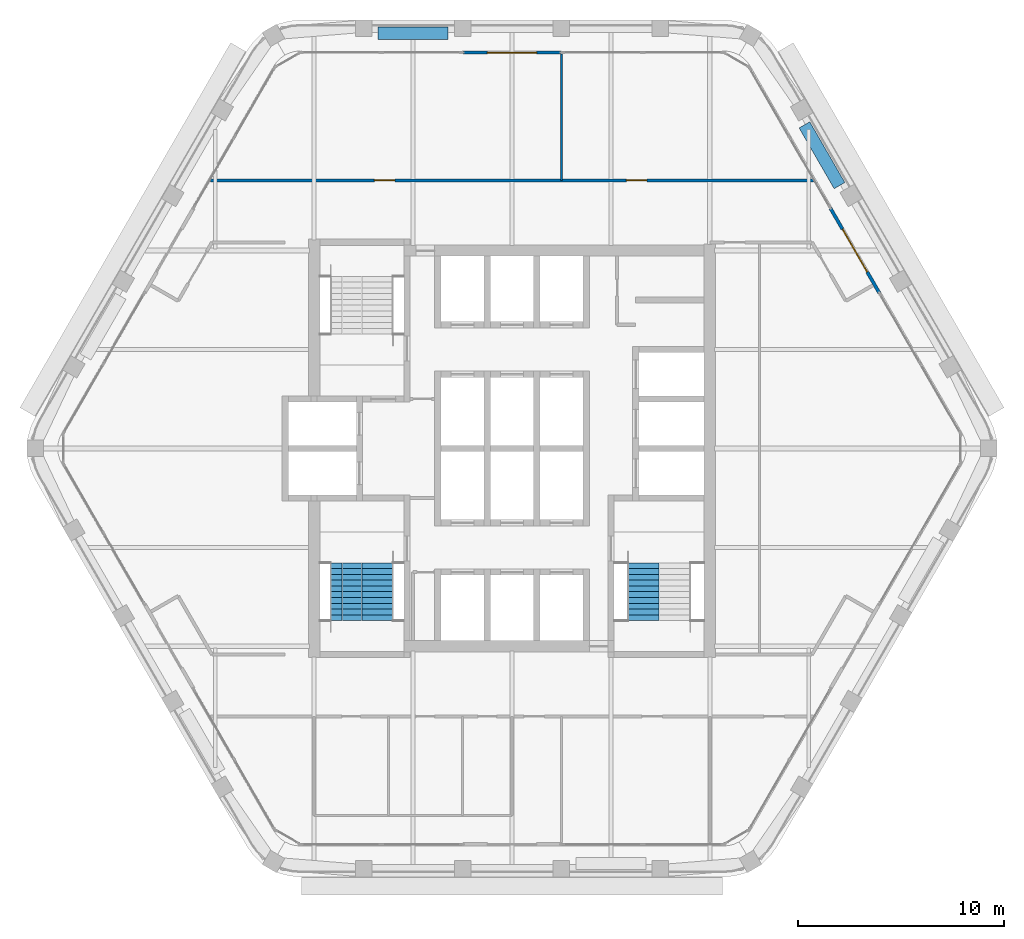
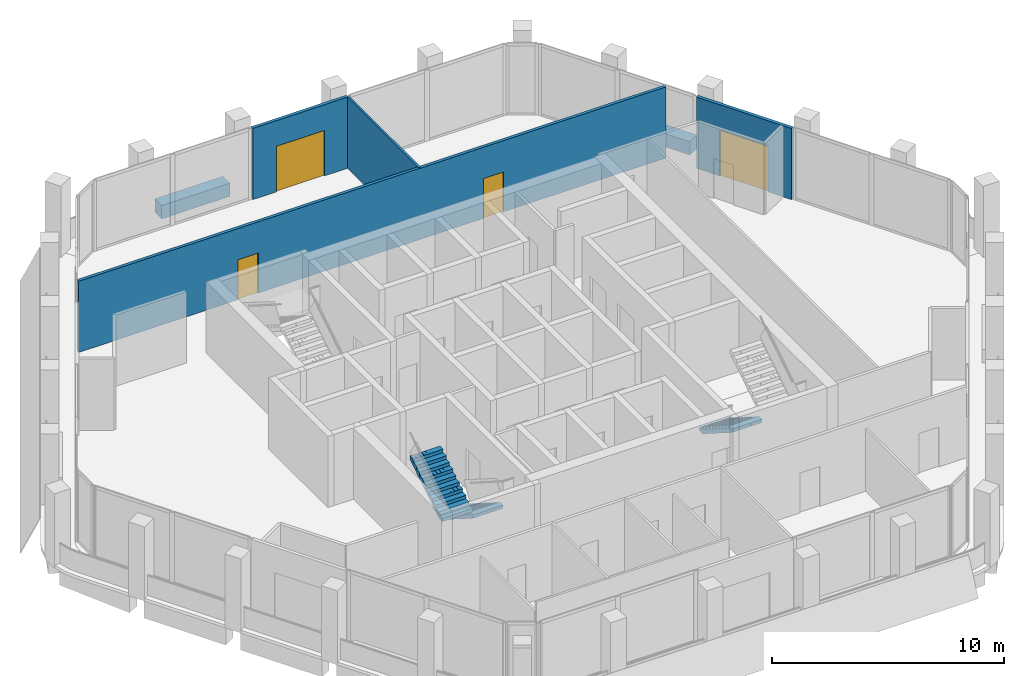
# One storey, part 10 of 13: 6 walls, 4 doors, 3 stair flights, 4 openings, 2 elements without a shape of their own.
"""IFC4 building model written with IfcOpenShell, lengths in metres."""

from ifc_helpers import new_model, si_unit, direction, frame, frame_2d, origin, place, context, subcontext, project, spatial, polyline, rectangle, outline, extrude, material, layer, layer_set, type_object, element, fill, aggregate, save


model = new_model("IFC4")

# Units and contexts
model_context = context("Model", 3, precision=1e-05, world=origin(), true_north=direction((0.0, 1.0)))
body_context = subcontext(model_context, "Body", "Model", "MODEL_VIEW")
ifc_project = project(units=[si_unit("LENGTHUNIT", "METRE"), si_unit("AREAUNIT", "SQUARE_METRE"), si_unit("VOLUMEUNIT", "CUBIC_METRE"), si_unit("PLANEANGLEUNIT", "RADIAN"), si_unit("MASSUNIT", "GRAM", prefix="KILO")], contexts=[model_context])

# Site, building, storey
site_placement = place(None, origin())
site = spatial("IfcSite", under=ifc_project, at=site_placement, CompositionType="ELEMENT")
building_placement = place(site_placement, origin())
building = spatial("IfcBuilding", under=site, at=building_placement, Name="Kolab Exchange Tower", CompositionType="ELEMENT")
storey_placement = place(building_placement, frame((0.0, 0.0, 277.39990234375)))
storey = spatial("IfcBuildingStorey", under=building, at=storey_placement, Name="L62", CompositionType="ELEMENT", Elevation=277.39990234375)

# Wall, opening, door
ifc_material_1 = material(Name="Aluminium EN AW-6063 T6", Category="aluminium")
ifc_layer_1 = layer(ifc_material_1, 0.159912109375)
ifc_layer_set_1 = layer_set([ifc_layer_1], Name="Aluminium EN AW-6063 T6")
wall_type_1 = type_object("IfcWallType", Name="DOOR SURROUND WALL 160 ALUMINIUM FRAMED", PredefinedType="PARTITIONING", material=ifc_layer_set_1)
wall_1_placement = place(storey_placement, frame((-2.3701171875, 19.20458984375, 0.0), z_axis=(0.0, 0.0, 1.0), x_axis=(1.0, 0.0, 0.0)))
wall_1 = element("IfcWall", 1, at=wall_1_placement, inside=storey, type_object=wall_type_1, Name="Door surround wall", PredefinedType="PARTITIONING", context=body_context, shape_type="SweptSolid", body=[
    extrude(rectangle(XDim=4.740234375, YDim=0.159912109375, at=frame_2d((2.3701171875, 0.0))), origin(), (0.0, 0.0, 1.0), 3.75),
])
opening_1_placement = place(wall_1_placement, frame((1.169921875, 0.0, 0.0)))
opening_1 = element("IfcOpeningElement", 2, at=opening_1_placement, cuts=wall_1, Name="Opening GD1-089", PredefinedType="OPENING", context=body_context, shape_type="SweptSolid", body=[
    extrude(rectangle(XDim=2.39990234375, YDim=2.39990234375, at=frame_2d((1.199951171875, 1.199951171875))), frame((0.0, 0.08984375, 0.0), z_axis=(0.0, -1.0, 0.0), x_axis=(1.0, 0.0, 0.0)), (0.0, 0.0, 1.0), 0.179931640625),
])
door_type_1 = type_object("IfcDoorType", Name="LOGGIA SLIDING GLASS DOOR 2400 X 2400", OperationType="DOUBLE_DOOR_SINGLE_SWING", PredefinedType="DOOR", material=ifc_material_1)
door_1_placement = place(opening_1_placement, origin())
door_1 = element("IfcDoor", 3, at=door_1_placement, inside=storey, type_object=door_type_1, Name="Loggia door", OperationType="DOUBLE_DOOR_SLIDING", OverallHeight=2.39990234375, OverallWidth=2.39990234375, PredefinedType="DOOR", context=body_context, shape_type="SweptSolid", body=[
    extrude(rectangle(XDim=2.39990234375, YDim=2.39990234375, at=frame_2d((1.199951171875, 1.199951171875))), frame((0.0, 0.02490234375, 0.0), z_axis=(0.0, -1.0, 0.0), x_axis=(1.0, 0.0, 0.0)), (0.0, 0.0, 1.0), 0.050048828125),
])
fill(opening_1, door_1)

wall_2_placement = place(storey_placement, frame((15.44677734375, 11.65478515625, 0.0), z_axis=(0.0, 0.0, 1.0), x_axis=(0.499978080042, -0.866038058908, 0.0)))
wall_2 = element("IfcWall", 4, at=wall_2_placement, inside=storey, type_object=wall_type_1, Name="Door surround wall", PredefinedType="PARTITIONING", context=body_context, shape_type="SweptSolid", body=[
    extrude(rectangle(XDim=4.739990234375, YDim=0.159912109375, at=frame_2d((2.3701171875, 0.0))), origin(), (0.0, 0.0, 1.0), 3.75),
])
opening_2_placement = place(wall_2_placement, frame((1.169921875, 0.0, 0.0)))
opening_2 = element("IfcOpeningElement", 5, at=opening_2_placement, cuts=wall_2, Name="Opening GD1-090", PredefinedType="OPENING", context=body_context, shape_type="SweptSolid", body=[
    extrude(rectangle(XDim=2.39990234375, YDim=2.39990234375, at=frame_2d((1.199951171875, 1.199951171875))), frame((0.0, 0.08984375, 0.0), z_axis=(0.0, -1.0, 0.0), x_axis=(1.0, 0.0, 0.0)), (0.0, 0.0, 1.0), 0.179931640625),
])
door_2_placement = place(opening_2_placement, origin())
door_2 = element("IfcDoor", 6, at=door_2_placement, inside=storey, type_object=door_type_1, Name="Loggia door", OperationType="DOUBLE_DOOR_SLIDING", OverallHeight=2.39990234375, OverallWidth=2.39990234375, PredefinedType="DOOR", context=body_context, shape_type="SweptSolid", body=[
    extrude(rectangle(XDim=2.39990234375, YDim=2.39990234375, at=frame_2d((1.199951171875, 1.199951171875))), frame((0.0, 0.02490234375, 0.0), z_axis=(0.0, -1.0, 0.0), x_axis=(1.0, 0.0, 0.0)), (0.0, 0.0, 1.0), 0.050048828125),
])
fill(opening_2, door_2)

# Wall
ifc_material_2 = material(Name="Gypsum board", Category="gypsum")
ifc_layer_2 = layer(ifc_material_2, 0.10009765625)
ifc_layer_set_2 = layer_set([ifc_layer_2], Name="Gypsum board")
wall_type_2 = type_object("IfcWallType", Name="PARTITION 100", PredefinedType="PARTITIONING", material=ifc_layer_set_2)
wall_3_placement = place(storey_placement, frame((2.39990234375, 13.0, 0.0), z_axis=(0.0, 0.0, 1.0), x_axis=(0.0, 1.0, 0.0)))
element("IfcWall", 7, at=wall_3_placement, inside=storey, type_object=wall_type_2, Name="Partition 004", PredefinedType="PARTITIONING", context=body_context, shape_type="SweptSolid", body=[
    extrude(rectangle(XDim=6.12451171875, YDim=0.10009765625, at=frame_2d((3.062255859375, 0.0))), origin(), (0.0, 0.0, 1.0), 3.75),
])

# Wall, openings, doors
ifc_layer_3 = layer(ifc_material_2, 0.14990234375)
ifc_layer_set_3 = layer_set([ifc_layer_3], Name="Gypsum board")
wall_type_3 = type_object("IfcWallType", Name="PARTITION 150 FIRE-RATED", PredefinedType="PARTITIONING", material=ifc_layer_set_3)
wall_4_placement = place(storey_placement, frame((-14.623779296875, 13.0, 0.0), z_axis=(0.0, 0.0, 1.0), x_axis=(1.0, 0.0, 0.0)))
wall_4 = element("IfcWall", 8, at=wall_4_placement, inside=storey, type_object=wall_type_3, Name="Partition 026", PredefinedType="PARTITIONING", context=body_context, shape_type="SweptSolid", body=[
    extrude(rectangle(XDim=29.24755859375, YDim=0.14990234375, at=frame_2d((14.623779296875, 0.0))), origin(), (0.0, 0.0, 1.0), 3.75),
])
opening_3_placement = place(wall_4_placement, frame((7.942626953125, 0.0, 0.0)))
opening_3 = element("IfcOpeningElement", 9, at=opening_3_placement, cuts=wall_4, Name="Opening D1-727", PredefinedType="OPENING", context=body_context, shape_type="SweptSolid", body=[
    extrude(rectangle(XDim=1.0, YDim=2.10009765625, at=frame_2d((0.5, 1.050048828125))), frame((0.0, 0.0849609375, 0.0), z_axis=(0.0, -1.0, 0.0), x_axis=(1.0, 0.0, 0.0)), (0.0, 0.0, 1.0), 0.169921875),
])
opening_4_placement = place(wall_4_placement, frame((20.168701171875, 0.0, 0.0)))
opening_4 = element("IfcOpeningElement", 10, at=opening_4_placement, cuts=wall_4, Name="Opening D1-733", PredefinedType="OPENING", context=body_context, shape_type="SweptSolid", body=[
    extrude(rectangle(XDim=1.0, YDim=2.10009765625, at=frame_2d((0.5, 1.050048828125))), frame((0.0, 0.0849609375, 0.0), z_axis=(0.0, -1.0, 0.0), x_axis=(1.0, 0.0, 0.0)), (0.0, 0.0, 1.0), 0.169921875),
])
ifc_material_3 = material(Name="Steel S235", Category="steel")
door_type_2 = type_object("IfcDoorType", Name="FLUSH DOOR 1000 FD60", OperationType="SINGLE_SWING_LEFT", PredefinedType="DOOR", material=ifc_material_3)
door_3_placement = place(opening_3_placement, origin())
door_3 = element("IfcDoor", 11, at=door_3_placement, inside=storey, type_object=door_type_2, Name="Door L62-029", OperationType="SINGLE_SWING_LEFT", OverallHeight=2.10009765625, OverallWidth=1.0, PredefinedType="DOOR", context=body_context, shape_type="SweptSolid", body=[
    extrude(rectangle(XDim=1.0, YDim=2.10009765625, at=frame_2d((0.5, 1.050048828125))), frame((0.0, 0.02490234375, 0.0), z_axis=(0.0, -1.0, 0.0), x_axis=(1.0, 0.0, 0.0)), (0.0, 0.0, 1.0), 0.050048828125),
])
fill(opening_3, door_3)
door_4_placement = place(opening_4_placement, origin())
door_4 = element("IfcDoor", 12, at=door_4_placement, inside=storey, type_object=door_type_2, Name="Door L62-030", OperationType="SINGLE_SWING_LEFT", OverallHeight=2.10009765625, OverallWidth=1.0, PredefinedType="DOOR", context=body_context, shape_type="SweptSolid", body=[
    extrude(rectangle(XDim=1.0, YDim=2.10009765625, at=frame_2d((0.5, 1.050048828125))), frame((0.0, 0.02490234375, 0.0), z_axis=(0.0, -1.0, 0.0), x_axis=(1.0, 0.0, 0.0)), (0.0, 0.0, 1.0), 0.050048828125),
])
fill(opening_4, door_4)

# Walls
ifc_material_4 = material(Name="Granite facing", Category="masonry")
ifc_layer_4 = layer(ifc_material_4, 0.0400390625)
ifc_material_5 = material(Name="Concrete C40/50 precast", Category="concrete")
ifc_layer_5 = layer(ifc_material_5, 0.56005859375)
ifc_layer_set_4 = layer_set([ifc_layer_4, ifc_layer_5], Name="Concrete C40/50 precast")
wall_type_4 = type_object("IfcWallType", Name="PLANTER BOX 600 X 700 SOIL DEPTH 550", PredefinedType="USERDEFINED", material=ifc_layer_set_4)
wall_5_placement = place(storey_placement, frame((-6.5, 20.134521484375, 0.0), z_axis=(0.0, 0.0, 1.0), x_axis=(1.0, 0.0, 0.0)))
element("IfcWall", 13, at=wall_5_placement, inside=storey, type_object=wall_type_4, Name="Planter", ObjectType="PLANTER", PredefinedType="USERDEFINED", context=body_context, shape_type="SweptSolid", body=[
    extrude(rectangle(XDim=3.39990234375, YDim=0.60009765625, at=frame_2d((1.699951171875, 0.0))), origin(), (0.0, 0.0, 1.0), 0.7001953125),
])
wall_6_placement = place(storey_placement, frame((14.18701171875, 15.696533203125, 0.0), z_axis=(0.0, 0.0, 1.0), x_axis=(0.499977295307, -0.866038511948, 0.0)))
element("IfcWall", 14, at=wall_6_placement, inside=storey, type_object=wall_type_4, Name="Planter", ObjectType="PLANTER", PredefinedType="USERDEFINED", context=body_context, shape_type="SweptSolid", body=[
    extrude(rectangle(XDim=3.400146484375, YDim=0.60009765625, at=frame_2d((1.7001953125, 0.0))), origin(), (0.0, 0.0, 1.0), 0.7001953125),
])

# Stair, stair flights
ifc_material_6 = material(Name="Concrete C50/60", Category="concrete")
stair_type_1 = type_object("IfcStairType", Name="STAIR ST3 RISER 177.3", PredefinedType="HALF_TURN_STAIR", material=ifc_material_6)
stair_1_placement = place(storey_placement, origin())
stair_1 = element("IfcStair", 15, at=stair_1_placement, inside=storey, type_object=stair_type_1, Name="Stair 3", PredefinedType="HALF_TURN_STAIR")
stair_flight_type = type_object("IfcStairFlightType", Name="STAIR FLIGHT 1500 RISER 177.3", PredefinedType="STRAIGHT", material=ifc_material_6)
stair_flight_1_placement = place(storey_placement, frame((-6.527587890625, -5.550048828125, 0.0), z_axis=(0.0, 0.0, 1.0), x_axis=(0.0, -1.0, 0.0)))
stair_flight_1 = element("IfcStairFlight", 16, at=stair_flight_1_placement, type_object=stair_flight_type, Name="ST3 flight 1", NumberOfRisers=11, NumberOfTreads=10, PredefinedType="STRAIGHT", RiserHeight=0.177272727, TreadLength=0.28, context=body_context, shape_type="SweptSolid", body=[
    extrude(outline(polyline([(0.0, 0.0), (0.0, 0.17724609375), (0.280029296875, 0.17724609375), (0.280029296875, 0.3544921875), (0.56005859375, 0.3544921875), (0.56005859375, 0.53173828125), (0.840087890625, 0.53173828125), (0.840087890625, 0.708984375), (1.1201171875, 0.708984375), (1.1201171875, 0.886474609375), (1.39990234375, 0.886474609375), (1.39990234375, 1.063720703125), (1.679931640625, 1.063720703125), (1.679931640625, 1.240966796875), (1.9599609375, 1.240966796875), (1.9599609375, 1.418212890625), (2.239990234375, 1.418212890625), (2.239990234375, 1.595458984375), (2.52001953125, 1.595458984375), (2.52001953125, 1.772705078125), (2.800048828125, 1.772705078125), (2.800048828125, 1.949951171875), (2.800048828125, 1.59521484375), (0.2802734375, 0.0), (0.0, 0.0)])), frame((0.0, 0.75, 0.0), z_axis=(0.0, -1.0, 0.0), x_axis=(1.0, 0.0, 0.0)), (0.0, 0.0, 1.0), 0.185791015625),
    extrude(outline(polyline([(0.0, 0.0), (0.0, 0.17724609375), (0.280029296875, 0.17724609375), (0.280029296875, 0.3544921875), (0.56005859375, 0.3544921875), (0.56005859375, 0.53173828125), (0.840087890625, 0.53173828125), (0.840087890625, 0.708984375), (1.1201171875, 0.708984375), (1.1201171875, 0.886474609375), (1.39990234375, 0.886474609375), (1.39990234375, 1.063720703125), (1.679931640625, 1.063720703125), (1.679931640625, 1.240966796875), (1.9599609375, 1.240966796875), (1.9599609375, 1.418212890625), (2.239990234375, 1.418212890625), (2.239990234375, 1.595458984375), (2.52001953125, 1.595458984375), (2.52001953125, 1.772705078125), (2.800048828125, 1.772705078125), (2.800048828125, 1.949951171875), (2.800048828125, 1.59521484375), (0.2802734375, 0.0), (0.0, 0.0)])), frame((0.0, 0.562255859375, 0.0), z_axis=(0.0, -1.0, 0.0), x_axis=(1.0, 0.0, 0.0)), (0.0, 0.0, 1.0), 0.185791015625),
    extrude(outline(polyline([(0.0, 0.0), (0.0, 0.17724609375), (0.280029296875, 0.17724609375), (0.280029296875, 0.3544921875), (0.56005859375, 0.3544921875), (0.56005859375, 0.53173828125), (0.840087890625, 0.53173828125), (0.840087890625, 0.708984375), (1.1201171875, 0.708984375), (1.1201171875, 0.886474609375), (1.39990234375, 0.886474609375), (1.39990234375, 1.063720703125), (1.679931640625, 1.063720703125), (1.679931640625, 1.240966796875), (1.9599609375, 1.240966796875), (1.9599609375, 1.418212890625), (2.239990234375, 1.418212890625), (2.239990234375, 1.595458984375), (2.52001953125, 1.595458984375), (2.52001953125, 1.772705078125), (2.800048828125, 1.772705078125), (2.800048828125, 1.949951171875), (2.800048828125, 1.59521484375), (0.2802734375, 0.0), (0.0, 0.0)])), frame((0.0, 0.37451171875, 0.0), z_axis=(0.0, -1.0, 0.0), x_axis=(1.0, 0.0, 0.0)), (0.0, 0.0, 1.0), 0.185791015625),
    extrude(outline(polyline([(0.0, 0.0), (0.0, 0.17724609375), (0.280029296875, 0.17724609375), (0.280029296875, 0.3544921875), (0.56005859375, 0.3544921875), (0.56005859375, 0.53173828125), (0.840087890625, 0.53173828125), (0.840087890625, 0.708984375), (1.1201171875, 0.708984375), (1.1201171875, 0.886474609375), (1.39990234375, 0.886474609375), (1.39990234375, 1.063720703125), (1.679931640625, 1.063720703125), (1.679931640625, 1.240966796875), (1.9599609375, 1.240966796875), (1.9599609375, 1.418212890625), (2.239990234375, 1.418212890625), (2.239990234375, 1.595458984375), (2.52001953125, 1.595458984375), (2.52001953125, 1.772705078125), (2.800048828125, 1.772705078125), (2.800048828125, 1.949951171875), (2.800048828125, 1.59521484375), (0.2802734375, 0.0), (0.0, 0.0)])), frame((0.0, 0.186767578125, 0.0), z_axis=(0.0, -1.0, 0.0), x_axis=(1.0, 0.0, 0.0)), (0.0, 0.0, 1.0), 0.185791015625),
    extrude(outline(polyline([(0.0, 0.0), (0.0, 0.17724609375), (0.280029296875, 0.17724609375), (0.280029296875, 0.3544921875), (0.56005859375, 0.3544921875), (0.56005859375, 0.53173828125), (0.840087890625, 0.53173828125), (0.840087890625, 0.708984375), (1.1201171875, 0.708984375), (1.1201171875, 0.886474609375), (1.39990234375, 0.886474609375), (1.39990234375, 1.063720703125), (1.679931640625, 1.063720703125), (1.679931640625, 1.240966796875), (1.9599609375, 1.240966796875), (1.9599609375, 1.418212890625), (2.239990234375, 1.418212890625), (2.239990234375, 1.595458984375), (2.52001953125, 1.595458984375), (2.52001953125, 1.772705078125), (2.800048828125, 1.772705078125), (2.800048828125, 1.949951171875), (2.800048828125, 1.59521484375), (0.2802734375, 0.0), (0.0, 0.0)])), frame((0.0, -0.0009765625, 0.0), z_axis=(0.0, -1.0, 0.0), x_axis=(1.0, 0.0, 0.0)), (0.0, 0.0, 1.0), 0.185791015625),
    extrude(outline(polyline([(0.0, 0.0), (0.0, 0.17724609375), (0.280029296875, 0.17724609375), (0.280029296875, 0.3544921875), (0.56005859375, 0.3544921875), (0.56005859375, 0.53173828125), (0.840087890625, 0.53173828125), (0.840087890625, 0.708984375), (1.1201171875, 0.708984375), (1.1201171875, 0.886474609375), (1.39990234375, 0.886474609375), (1.39990234375, 1.063720703125), (1.679931640625, 1.063720703125), (1.679931640625, 1.240966796875), (1.9599609375, 1.240966796875), (1.9599609375, 1.418212890625), (2.239990234375, 1.418212890625), (2.239990234375, 1.595458984375), (2.52001953125, 1.595458984375), (2.52001953125, 1.772705078125), (2.800048828125, 1.772705078125), (2.800048828125, 1.949951171875), (2.800048828125, 1.59521484375), (0.2802734375, 0.0), (0.0, 0.0)])), frame((0.0, -0.188720703125, 0.0), z_axis=(0.0, -1.0, 0.0), x_axis=(1.0, 0.0, 0.0)), (0.0, 0.0, 1.0), 0.185791015625),
    extrude(outline(polyline([(0.0, 0.0), (0.0, 0.17724609375), (0.280029296875, 0.17724609375), (0.280029296875, 0.3544921875), (0.56005859375, 0.3544921875), (0.56005859375, 0.53173828125), (0.840087890625, 0.53173828125), (0.840087890625, 0.708984375), (1.1201171875, 0.708984375), (1.1201171875, 0.886474609375), (1.39990234375, 0.886474609375), (1.39990234375, 1.063720703125), (1.679931640625, 1.063720703125), (1.679931640625, 1.240966796875), (1.9599609375, 1.240966796875), (1.9599609375, 1.418212890625), (2.239990234375, 1.418212890625), (2.239990234375, 1.595458984375), (2.52001953125, 1.595458984375), (2.52001953125, 1.772705078125), (2.800048828125, 1.772705078125), (2.800048828125, 1.949951171875), (2.800048828125, 1.59521484375), (0.2802734375, 0.0), (0.0, 0.0)])), frame((0.0, -0.37646484375, 0.0), z_axis=(0.0, -1.0, 0.0), x_axis=(1.0, 0.0, 0.0)), (0.0, 0.0, 1.0), 0.185791015625),
    extrude(outline(polyline([(0.0, 0.0), (0.0, 0.17724609375), (0.280029296875, 0.17724609375), (0.280029296875, 0.3544921875), (0.56005859375, 0.3544921875), (0.56005859375, 0.53173828125), (0.840087890625, 0.53173828125), (0.840087890625, 0.708984375), (1.1201171875, 0.708984375), (1.1201171875, 0.886474609375), (1.39990234375, 0.886474609375), (1.39990234375, 1.063720703125), (1.679931640625, 1.063720703125), (1.679931640625, 1.240966796875), (1.9599609375, 1.240966796875), (1.9599609375, 1.418212890625), (2.239990234375, 1.418212890625), (2.239990234375, 1.595458984375), (2.52001953125, 1.595458984375), (2.52001953125, 1.772705078125), (2.800048828125, 1.772705078125), (2.800048828125, 1.949951171875), (2.800048828125, 1.59521484375), (0.2802734375, 0.0), (0.0, 0.0)])), frame((0.0, -0.564208984375, 0.0), z_axis=(0.0, -1.0, 0.0), x_axis=(1.0, 0.0, 0.0)), (0.0, 0.0, 1.0), 0.185791015625),
])
stair_flight_2_placement = place(storey_placement, frame((-8.047607421875, -8.35009765625, 1.9501953125), z_axis=(0.0, 0.0, 1.0), x_axis=(0.0, 1.0, 0.0)))
stair_flight_2 = element("IfcStairFlight", 17, at=stair_flight_2_placement, type_object=stair_flight_type, Name="ST3 flight 2", NumberOfRisers=11, NumberOfTreads=10, PredefinedType="STRAIGHT", RiserHeight=0.177272727, TreadLength=0.28, context=body_context, shape_type="SweptSolid", body=[
    extrude(outline(polyline([(0.0, 0.0), (0.0, 0.17724609375), (0.280029296875, 0.17724609375), (0.280029296875, 0.3544921875), (0.56005859375, 0.3544921875), (0.56005859375, 0.53173828125), (0.840087890625, 0.53173828125), (0.840087890625, 0.708984375), (1.1201171875, 0.708984375), (1.1201171875, 0.886474609375), (1.39990234375, 0.886474609375), (1.39990234375, 1.063720703125), (1.679931640625, 1.063720703125), (1.679931640625, 1.240966796875), (1.9599609375, 1.240966796875), (1.9599609375, 1.418212890625), (2.239990234375, 1.418212890625), (2.239990234375, 1.595458984375), (2.52001953125, 1.595458984375), (2.52001953125, 1.772705078125), (2.800048828125, 1.772705078125), (2.800048828125, 1.949951171875), (2.800048828125, 1.59521484375), (0.2802734375, 0.0), (0.0, 0.0)])), frame((0.0, 0.75, 0.0), z_axis=(0.0, -1.0, 0.0), x_axis=(1.0, 0.0, 0.0)), (0.0, 0.0, 1.0), 0.185791015625),
    extrude(outline(polyline([(0.0, 0.0), (0.0, 0.17724609375), (0.280029296875, 0.17724609375), (0.280029296875, 0.3544921875), (0.56005859375, 0.3544921875), (0.56005859375, 0.53173828125), (0.840087890625, 0.53173828125), (0.840087890625, 0.708984375), (1.1201171875, 0.708984375), (1.1201171875, 0.886474609375), (1.39990234375, 0.886474609375), (1.39990234375, 1.063720703125), (1.679931640625, 1.063720703125), (1.679931640625, 1.240966796875), (1.9599609375, 1.240966796875), (1.9599609375, 1.418212890625), (2.239990234375, 1.418212890625), (2.239990234375, 1.595458984375), (2.52001953125, 1.595458984375), (2.52001953125, 1.772705078125), (2.800048828125, 1.772705078125), (2.800048828125, 1.949951171875), (2.800048828125, 1.59521484375), (0.2802734375, 0.0), (0.0, 0.0)])), frame((0.0, 0.562255859375, 0.0), z_axis=(0.0, -1.0, 0.0), x_axis=(1.0, 0.0, 0.0)), (0.0, 0.0, 1.0), 0.185791015625),
    extrude(outline(polyline([(0.0, 0.0), (0.0, 0.17724609375), (0.280029296875, 0.17724609375), (0.280029296875, 0.3544921875), (0.56005859375, 0.3544921875), (0.56005859375, 0.53173828125), (0.840087890625, 0.53173828125), (0.840087890625, 0.708984375), (1.1201171875, 0.708984375), (1.1201171875, 0.886474609375), (1.39990234375, 0.886474609375), (1.39990234375, 1.063720703125), (1.679931640625, 1.063720703125), (1.679931640625, 1.240966796875), (1.9599609375, 1.240966796875), (1.9599609375, 1.418212890625), (2.239990234375, 1.418212890625), (2.239990234375, 1.595458984375), (2.52001953125, 1.595458984375), (2.52001953125, 1.772705078125), (2.800048828125, 1.772705078125), (2.800048828125, 1.949951171875), (2.800048828125, 1.59521484375), (0.2802734375, 0.0), (0.0, 0.0)])), frame((0.0, 0.37451171875, 0.0), z_axis=(0.0, -1.0, 0.0), x_axis=(1.0, 0.0, 0.0)), (0.0, 0.0, 1.0), 0.185791015625),
    extrude(outline(polyline([(0.0, 0.0), (0.0, 0.17724609375), (0.280029296875, 0.17724609375), (0.280029296875, 0.3544921875), (0.56005859375, 0.3544921875), (0.56005859375, 0.53173828125), (0.840087890625, 0.53173828125), (0.840087890625, 0.708984375), (1.1201171875, 0.708984375), (1.1201171875, 0.886474609375), (1.39990234375, 0.886474609375), (1.39990234375, 1.063720703125), (1.679931640625, 1.063720703125), (1.679931640625, 1.240966796875), (1.9599609375, 1.240966796875), (1.9599609375, 1.418212890625), (2.239990234375, 1.418212890625), (2.239990234375, 1.595458984375), (2.52001953125, 1.595458984375), (2.52001953125, 1.772705078125), (2.800048828125, 1.772705078125), (2.800048828125, 1.949951171875), (2.800048828125, 1.59521484375), (0.2802734375, 0.0), (0.0, 0.0)])), frame((0.0, 0.186767578125, 0.0), z_axis=(0.0, -1.0, 0.0), x_axis=(1.0, 0.0, 0.0)), (0.0, 0.0, 1.0), 0.185791015625),
    extrude(outline(polyline([(0.0, 0.0), (0.0, 0.17724609375), (0.280029296875, 0.17724609375), (0.280029296875, 0.3544921875), (0.56005859375, 0.3544921875), (0.56005859375, 0.53173828125), (0.840087890625, 0.53173828125), (0.840087890625, 0.708984375), (1.1201171875, 0.708984375), (1.1201171875, 0.886474609375), (1.39990234375, 0.886474609375), (1.39990234375, 1.063720703125), (1.679931640625, 1.063720703125), (1.679931640625, 1.240966796875), (1.9599609375, 1.240966796875), (1.9599609375, 1.418212890625), (2.239990234375, 1.418212890625), (2.239990234375, 1.595458984375), (2.52001953125, 1.595458984375), (2.52001953125, 1.772705078125), (2.800048828125, 1.772705078125), (2.800048828125, 1.949951171875), (2.800048828125, 1.59521484375), (0.2802734375, 0.0), (0.0, 0.0)])), frame((0.0, -0.0009765625, 0.0), z_axis=(0.0, -1.0, 0.0), x_axis=(1.0, 0.0, 0.0)), (0.0, 0.0, 1.0), 0.185791015625),
    extrude(outline(polyline([(0.0, 0.0), (0.0, 0.17724609375), (0.280029296875, 0.17724609375), (0.280029296875, 0.3544921875), (0.56005859375, 0.3544921875), (0.56005859375, 0.53173828125), (0.840087890625, 0.53173828125), (0.840087890625, 0.708984375), (1.1201171875, 0.708984375), (1.1201171875, 0.886474609375), (1.39990234375, 0.886474609375), (1.39990234375, 1.063720703125), (1.679931640625, 1.063720703125), (1.679931640625, 1.240966796875), (1.9599609375, 1.240966796875), (1.9599609375, 1.418212890625), (2.239990234375, 1.418212890625), (2.239990234375, 1.595458984375), (2.52001953125, 1.595458984375), (2.52001953125, 1.772705078125), (2.800048828125, 1.772705078125), (2.800048828125, 1.949951171875), (2.800048828125, 1.59521484375), (0.2802734375, 0.0), (0.0, 0.0)])), frame((0.0, -0.188720703125, 0.0), z_axis=(0.0, -1.0, 0.0), x_axis=(1.0, 0.0, 0.0)), (0.0, 0.0, 1.0), 0.185791015625),
    extrude(outline(polyline([(0.0, 0.0), (0.0, 0.17724609375), (0.280029296875, 0.17724609375), (0.280029296875, 0.3544921875), (0.56005859375, 0.3544921875), (0.56005859375, 0.53173828125), (0.840087890625, 0.53173828125), (0.840087890625, 0.708984375), (1.1201171875, 0.708984375), (1.1201171875, 0.886474609375), (1.39990234375, 0.886474609375), (1.39990234375, 1.063720703125), (1.679931640625, 1.063720703125), (1.679931640625, 1.240966796875), (1.9599609375, 1.240966796875), (1.9599609375, 1.418212890625), (2.239990234375, 1.418212890625), (2.239990234375, 1.595458984375), (2.52001953125, 1.595458984375), (2.52001953125, 1.772705078125), (2.800048828125, 1.772705078125), (2.800048828125, 1.949951171875), (2.800048828125, 1.59521484375), (0.2802734375, 0.0), (0.0, 0.0)])), frame((0.0, -0.37646484375, 0.0), z_axis=(0.0, -1.0, 0.0), x_axis=(1.0, 0.0, 0.0)), (0.0, 0.0, 1.0), 0.185791015625),
    extrude(outline(polyline([(0.0, 0.0), (0.0, 0.17724609375), (0.280029296875, 0.17724609375), (0.280029296875, 0.3544921875), (0.56005859375, 0.3544921875), (0.56005859375, 0.53173828125), (0.840087890625, 0.53173828125), (0.840087890625, 0.708984375), (1.1201171875, 0.708984375), (1.1201171875, 0.886474609375), (1.39990234375, 0.886474609375), (1.39990234375, 1.063720703125), (1.679931640625, 1.063720703125), (1.679931640625, 1.240966796875), (1.9599609375, 1.240966796875), (1.9599609375, 1.418212890625), (2.239990234375, 1.418212890625), (2.239990234375, 1.595458984375), (2.52001953125, 1.595458984375), (2.52001953125, 1.772705078125), (2.800048828125, 1.772705078125), (2.800048828125, 1.949951171875), (2.800048828125, 1.59521484375), (0.2802734375, 0.0), (0.0, 0.0)])), frame((0.0, -0.564208984375, 0.0), z_axis=(0.0, -1.0, 0.0), x_axis=(1.0, 0.0, 0.0)), (0.0, 0.0, 1.0), 0.185791015625),
])
aggregate(stair_1, [stair_flight_1, stair_flight_2])

# Stair, stair flight
stair_type_2 = type_object("IfcStairType", Name="STAIR ST2 RISER 177.3", PredefinedType="HALF_TURN_STAIR", material=ifc_material_6)
stair_2_placement = place(storey_placement, origin())
stair_2 = element("IfcStair", 18, at=stair_2_placement, inside=storey, type_object=stair_type_2, Name="Stair 2", PredefinedType="HALF_TURN_STAIR")
stair_flight_3_placement = place(storey_placement, frame((6.37744140625, -5.550048828125, 0.0), z_axis=(0.0, 0.0, 1.0), x_axis=(0.0, -1.0, 0.0)))
stair_flight_3 = element("IfcStairFlight", 19, at=stair_flight_3_placement, type_object=stair_flight_type, Name="ST2 flight 1", NumberOfRisers=11, NumberOfTreads=10, PredefinedType="STRAIGHT", RiserHeight=0.177272727, TreadLength=0.28, context=body_context, shape_type="SweptSolid", body=[
    extrude(outline(polyline([(0.0, 0.0), (0.0, 0.17724609375), (0.280029296875, 0.17724609375), (0.280029296875, 0.3544921875), (0.56005859375, 0.3544921875), (0.56005859375, 0.53173828125), (0.840087890625, 0.53173828125), (0.840087890625, 0.708984375), (1.1201171875, 0.708984375), (1.1201171875, 0.886474609375), (1.39990234375, 0.886474609375), (1.39990234375, 1.063720703125), (1.679931640625, 1.063720703125), (1.679931640625, 1.240966796875), (1.9599609375, 1.240966796875), (1.9599609375, 1.418212890625), (2.239990234375, 1.418212890625), (2.239990234375, 1.595458984375), (2.52001953125, 1.595458984375), (2.52001953125, 1.772705078125), (2.800048828125, 1.772705078125), (2.800048828125, 1.949951171875), (2.800048828125, 1.59521484375), (0.2802734375, 0.0), (0.0, 0.0)])), frame((0.0, 0.75, 0.0), z_axis=(0.0, -1.0, 0.0), x_axis=(1.0, 0.0, 0.0)), (0.0, 0.0, 1.0), 0.185791015625),
    extrude(outline(polyline([(0.0, 0.0), (0.0, 0.17724609375), (0.280029296875, 0.17724609375), (0.280029296875, 0.3544921875), (0.56005859375, 0.3544921875), (0.56005859375, 0.53173828125), (0.840087890625, 0.53173828125), (0.840087890625, 0.708984375), (1.1201171875, 0.708984375), (1.1201171875, 0.886474609375), (1.39990234375, 0.886474609375), (1.39990234375, 1.063720703125), (1.679931640625, 1.063720703125), (1.679931640625, 1.240966796875), (1.9599609375, 1.240966796875), (1.9599609375, 1.418212890625), (2.239990234375, 1.418212890625), (2.239990234375, 1.595458984375), (2.52001953125, 1.595458984375), (2.52001953125, 1.772705078125), (2.800048828125, 1.772705078125), (2.800048828125, 1.949951171875), (2.800048828125, 1.59521484375), (0.2802734375, 0.0), (0.0, 0.0)])), frame((0.0, 0.562255859375, 0.0), z_axis=(0.0, -1.0, 0.0), x_axis=(1.0, 0.0, 0.0)), (0.0, 0.0, 1.0), 0.185791015625),
    extrude(outline(polyline([(0.0, 0.0), (0.0, 0.17724609375), (0.280029296875, 0.17724609375), (0.280029296875, 0.3544921875), (0.56005859375, 0.3544921875), (0.56005859375, 0.53173828125), (0.840087890625, 0.53173828125), (0.840087890625, 0.708984375), (1.1201171875, 0.708984375), (1.1201171875, 0.886474609375), (1.39990234375, 0.886474609375), (1.39990234375, 1.063720703125), (1.679931640625, 1.063720703125), (1.679931640625, 1.240966796875), (1.9599609375, 1.240966796875), (1.9599609375, 1.418212890625), (2.239990234375, 1.418212890625), (2.239990234375, 1.595458984375), (2.52001953125, 1.595458984375), (2.52001953125, 1.772705078125), (2.800048828125, 1.772705078125), (2.800048828125, 1.949951171875), (2.800048828125, 1.59521484375), (0.2802734375, 0.0), (0.0, 0.0)])), frame((0.0, 0.37451171875, 0.0), z_axis=(0.0, -1.0, 0.0), x_axis=(1.0, 0.0, 0.0)), (0.0, 0.0, 1.0), 0.185791015625),
    extrude(outline(polyline([(0.0, 0.0), (0.0, 0.17724609375), (0.280029296875, 0.17724609375), (0.280029296875, 0.3544921875), (0.56005859375, 0.3544921875), (0.56005859375, 0.53173828125), (0.840087890625, 0.53173828125), (0.840087890625, 0.708984375), (1.1201171875, 0.708984375), (1.1201171875, 0.886474609375), (1.39990234375, 0.886474609375), (1.39990234375, 1.063720703125), (1.679931640625, 1.063720703125), (1.679931640625, 1.240966796875), (1.9599609375, 1.240966796875), (1.9599609375, 1.418212890625), (2.239990234375, 1.418212890625), (2.239990234375, 1.595458984375), (2.52001953125, 1.595458984375), (2.52001953125, 1.772705078125), (2.800048828125, 1.772705078125), (2.800048828125, 1.949951171875), (2.800048828125, 1.59521484375), (0.2802734375, 0.0), (0.0, 0.0)])), frame((0.0, 0.186767578125, 0.0), z_axis=(0.0, -1.0, 0.0), x_axis=(1.0, 0.0, 0.0)), (0.0, 0.0, 1.0), 0.185791015625),
    extrude(outline(polyline([(0.0, 0.0), (0.0, 0.17724609375), (0.280029296875, 0.17724609375), (0.280029296875, 0.3544921875), (0.56005859375, 0.3544921875), (0.56005859375, 0.53173828125), (0.840087890625, 0.53173828125), (0.840087890625, 0.708984375), (1.1201171875, 0.708984375), (1.1201171875, 0.886474609375), (1.39990234375, 0.886474609375), (1.39990234375, 1.063720703125), (1.679931640625, 1.063720703125), (1.679931640625, 1.240966796875), (1.9599609375, 1.240966796875), (1.9599609375, 1.418212890625), (2.239990234375, 1.418212890625), (2.239990234375, 1.595458984375), (2.52001953125, 1.595458984375), (2.52001953125, 1.772705078125), (2.800048828125, 1.772705078125), (2.800048828125, 1.949951171875), (2.800048828125, 1.59521484375), (0.2802734375, 0.0), (0.0, 0.0)])), frame((0.0, -0.0009765625, 0.0), z_axis=(0.0, -1.0, 0.0), x_axis=(1.0, 0.0, 0.0)), (0.0, 0.0, 1.0), 0.185791015625),
    extrude(outline(polyline([(0.0, 0.0), (0.0, 0.17724609375), (0.280029296875, 0.17724609375), (0.280029296875, 0.3544921875), (0.56005859375, 0.3544921875), (0.56005859375, 0.53173828125), (0.840087890625, 0.53173828125), (0.840087890625, 0.708984375), (1.1201171875, 0.708984375), (1.1201171875, 0.886474609375), (1.39990234375, 0.886474609375), (1.39990234375, 1.063720703125), (1.679931640625, 1.063720703125), (1.679931640625, 1.240966796875), (1.9599609375, 1.240966796875), (1.9599609375, 1.418212890625), (2.239990234375, 1.418212890625), (2.239990234375, 1.595458984375), (2.52001953125, 1.595458984375), (2.52001953125, 1.772705078125), (2.800048828125, 1.772705078125), (2.800048828125, 1.949951171875), (2.800048828125, 1.59521484375), (0.2802734375, 0.0), (0.0, 0.0)])), frame((0.0, -0.188720703125, 0.0), z_axis=(0.0, -1.0, 0.0), x_axis=(1.0, 0.0, 0.0)), (0.0, 0.0, 1.0), 0.185791015625),
    extrude(outline(polyline([(0.0, 0.0), (0.0, 0.17724609375), (0.280029296875, 0.17724609375), (0.280029296875, 0.3544921875), (0.56005859375, 0.3544921875), (0.56005859375, 0.53173828125), (0.840087890625, 0.53173828125), (0.840087890625, 0.708984375), (1.1201171875, 0.708984375), (1.1201171875, 0.886474609375), (1.39990234375, 0.886474609375), (1.39990234375, 1.063720703125), (1.679931640625, 1.063720703125), (1.679931640625, 1.240966796875), (1.9599609375, 1.240966796875), (1.9599609375, 1.418212890625), (2.239990234375, 1.418212890625), (2.239990234375, 1.595458984375), (2.52001953125, 1.595458984375), (2.52001953125, 1.772705078125), (2.800048828125, 1.772705078125), (2.800048828125, 1.949951171875), (2.800048828125, 1.59521484375), (0.2802734375, 0.0), (0.0, 0.0)])), frame((0.0, -0.37646484375, 0.0), z_axis=(0.0, -1.0, 0.0), x_axis=(1.0, 0.0, 0.0)), (0.0, 0.0, 1.0), 0.185791015625),
    extrude(outline(polyline([(0.0, 0.0), (0.0, 0.17724609375), (0.280029296875, 0.17724609375), (0.280029296875, 0.3544921875), (0.56005859375, 0.3544921875), (0.56005859375, 0.53173828125), (0.840087890625, 0.53173828125), (0.840087890625, 0.708984375), (1.1201171875, 0.708984375), (1.1201171875, 0.886474609375), (1.39990234375, 0.886474609375), (1.39990234375, 1.063720703125), (1.679931640625, 1.063720703125), (1.679931640625, 1.240966796875), (1.9599609375, 1.240966796875), (1.9599609375, 1.418212890625), (2.239990234375, 1.418212890625), (2.239990234375, 1.595458984375), (2.52001953125, 1.595458984375), (2.52001953125, 1.772705078125), (2.800048828125, 1.772705078125), (2.800048828125, 1.949951171875), (2.800048828125, 1.59521484375), (0.2802734375, 0.0), (0.0, 0.0)])), frame((0.0, -0.564208984375, 0.0), z_axis=(0.0, -1.0, 0.0), x_axis=(1.0, 0.0, 0.0)), (0.0, 0.0, 1.0), 0.185791015625),
])
aggregate(stair_2, [stair_flight_3])

save(model, "model.ifc")
